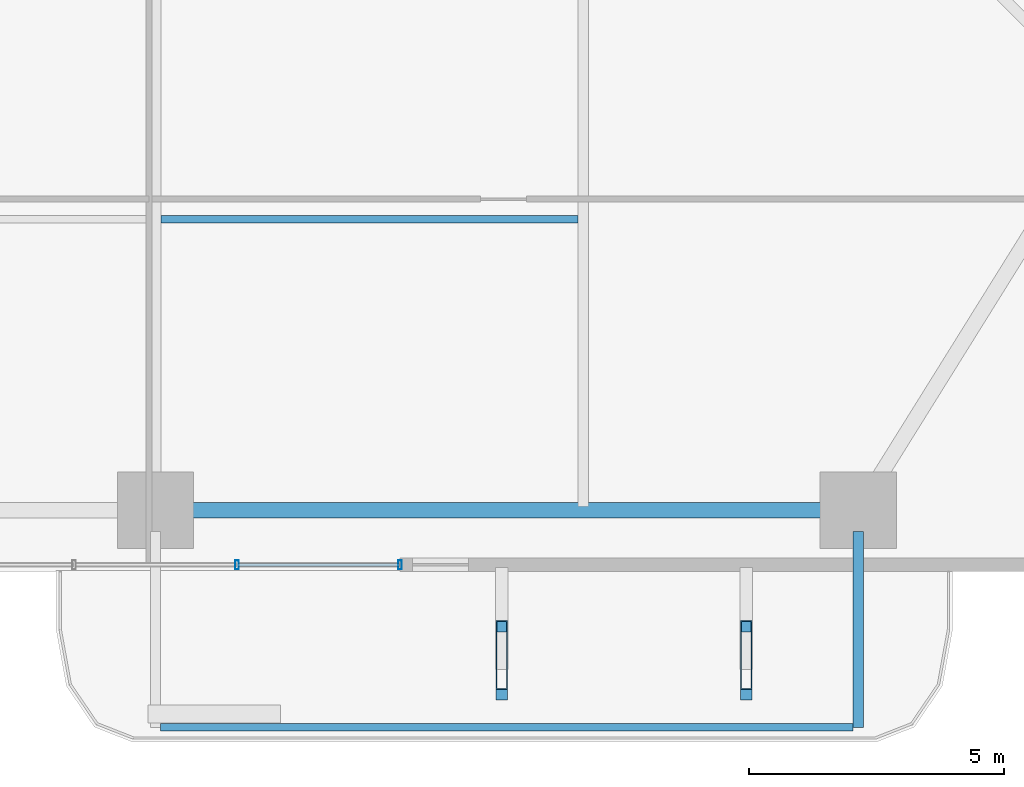
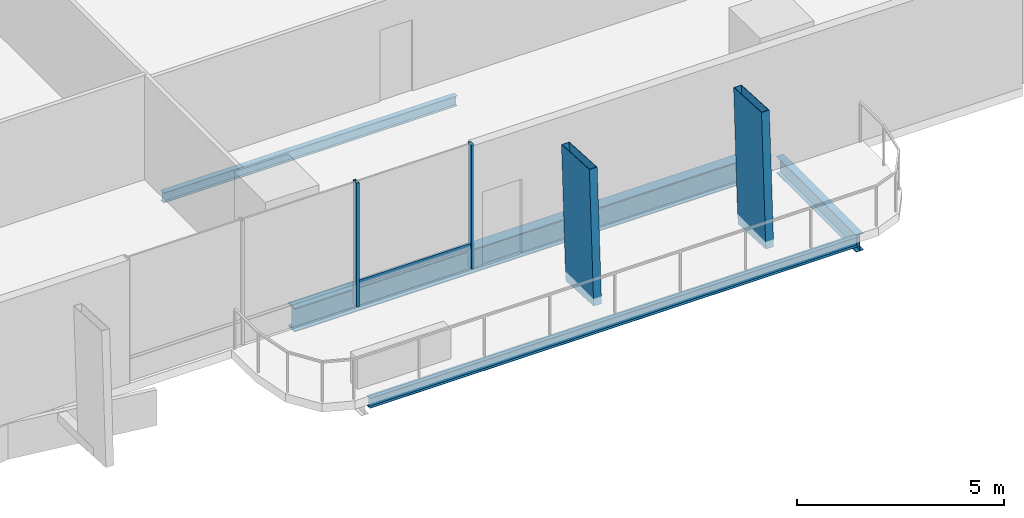
# One storey, part 6 of 24: 5 members, 4 beams, 1 element without a shape of its own.
"""IFC4 building model written with IfcOpenShell, lengths in metres."""

from ifc_helpers import new_model, si_unit, direction, frame, origin, origin_2d, place, context, subcontext, project, spatial, hollow_rectangle, i_section, extrude, material, layer, layer_set, material_profile, profile_set, type_object, element, aggregate, save


model = new_model("IFC4")

# Units and contexts
model_context = context("Model", 3, precision=1e-05, world=origin(), true_north=direction((0.0, 1.0)))
body_context = subcontext(model_context, "Body", "Model", "MODEL_VIEW")
ifc_project = project(units=[si_unit("LENGTHUNIT", "METRE"), si_unit("AREAUNIT", "SQUARE_METRE"), si_unit("VOLUMEUNIT", "CUBIC_METRE"), si_unit("PLANEANGLEUNIT", "RADIAN"), si_unit("MASSUNIT", "GRAM", prefix="KILO")], contexts=[model_context])

# Site, building, storey
site_placement = place(None, origin())
site = spatial("IfcSite", under=ifc_project, at=site_placement, CompositionType="ELEMENT")
building_placement = place(site_placement, origin())
building = spatial("IfcBuilding", under=site, at=building_placement, Name="Belovzor Exchange Tower", CompositionType="ELEMENT")
storey_placement = place(building_placement, frame((0.0, 0.0, 61.199951171875)))
storey = spatial("IfcBuildingStorey", under=building, at=storey_placement, Name="L14", CompositionType="ELEMENT", Elevation=61.199951171875)

# Members
ifc_material_1 = material(Name="Extruded Architectural Terracotta on Steel S355 Carrier", Category="masonry")
ifc_material_profile_1 = material_profile(ifc_material_1, hollow_rectangle(XDim=0.219970703125, YDim=1.35009765625, WallThickness=0.013916015625, at=origin_2d()))
ifc_profile_set_1 = profile_set([ifc_material_profile_1], Name="Extruded Architectural Terracotta on Steel S355 Carrier")
member_type_1 = type_object("IfcMemberType", Name="Base Arc Sweeping Terracotta Pylon Fin 1450", PredefinedType="USERDEFINED", material=ifc_profile_set_1)
for number, where, z_axis, x_axis, name in (
    (1, (35.60009765625, -0.948974609375, -0.25), (0.0, 0.053756276307, 0.998554086045), (-1.0, 0.0, 0.0), "FIN-TC145 Terracotta Facade Fin L14 S3"),
    (2, (40.39990234375, -0.948974609375, -0.25), (0.0, 0.053756276307, 0.998554086045), (-1.0, 0.0, 0.0), "FIN-TC145 Terracotta Facade Fin L14 S4"),
):
    element("IfcMember", number, at=place(storey_placement, frame(where, z_axis=z_axis, x_axis=x_axis)), inside=storey, type_object=member_type_1, Name=name, ObjectType="FIN", PredefinedType="USERDEFINED", context=body_context, shape_type="SweptSolid", body=[
        extrude(hollow_rectangle(XDim=0.219970703125, YDim=1.35009765625, WallThickness=0.013916015625, at=origin_2d()), origin(), (0.0, 0.0, 1.0), 3.90576171875),
    ])

# Beams
ifc_material_2 = material(Name="Steel S355", Category="steel")
ifc_material_profile_2 = material_profile(ifc_material_2, i_section(OverallWidth=0.199951171875, OverallDepth=0.5, WebThickness=0.01025390625, FlangeThickness=0.01611328125, at=origin_2d()))
ifc_profile_set_2 = profile_set([ifc_material_profile_2], Name="Steel S355")
beam_type_1 = type_object("IfcBeamType", Name="Planted Balcony Cantilever Beam IPE 500", PredefinedType="BEAM", material=ifc_profile_set_2)
beam_1_placement = place(storey_placement, frame((42.60009765625, 1.68798828125, -0.5), z_axis=(0.0, -1.0, 0.0), x_axis=(1.0, 0.0, 0.0)))
element("IfcBeam", 3, at=beam_1_placement, inside=storey, type_object=beam_type_1, Name="BC-500 Planted Balcony Cantilever Beam IPE 500", PredefinedType="BEAM", context=body_context, shape_type="SweptSolid", body=[
    extrude(i_section(OverallWidth=0.199951171875, OverallDepth=0.5, WebThickness=0.01025390625, FlangeThickness=0.01611328125, at=origin_2d()), origin(), (0.0, 0.0, 1.0), 3.85009765625),
])
ifc_material_3 = material(Name="Steel S355", Category="steel")
ifc_material_profile_3 = material_profile(ifc_material_3, i_section(OverallWidth=0.14990234375, OverallDepth=0.300048828125, WebThickness=0.007080078125, FlangeThickness=0.0107421875, at=origin_2d()))
ifc_profile_set_3 = profile_set([ifc_material_profile_3], Name="Steel S355")
beam_type_2 = type_object("IfcBeamType", Name="Planted Balcony Fascia Edge Beam IPE 300", PredefinedType="BEAM", material=ifc_profile_set_3)
beam_2_placement = place(storey_placement, frame((28.89990234375, -2.162109375, -0.39990234375), z_axis=(1.0, 0.0, 0.0), x_axis=(0.0, 1.0, 0.0)))
element("IfcBeam", 4, at=beam_2_placement, inside=storey, type_object=beam_type_2, Name="BC-300 Planted Balcony Fascia Edge Beam IPE 300", PredefinedType="BEAM", context=body_context, shape_type="SweptSolid", body=[
    extrude(i_section(OverallWidth=0.14990234375, OverallDepth=0.300048828125, WebThickness=0.007080078125, FlangeThickness=0.0107421875, at=origin_2d()), origin(), (0.0, 0.0, 1.0), 13.60009765625),
])
ifc_material_4 = material(Name="Steel S355", Category="steel")
ifc_material_profile_4 = material_profile(ifc_material_4, i_section(OverallWidth=0.14990234375, OverallDepth=0.300048828125, WebThickness=0.007080078125, FlangeThickness=0.0107421875, at=origin_2d()))
ifc_profile_set_4 = profile_set([ifc_material_profile_4], Name="Steel S355")
beam_type_3 = type_object("IfcBeamType", Name="Secondary Trim Floor Joist IPE 300", PredefinedType="BEAM", material=ifc_profile_set_4)
beam_3_placement = place(storey_placement, frame((28.905029296875, 7.81494140625, -0.39990234375), z_axis=(1.0, 0.0, 0.0), x_axis=(0.0, 1.0, 0.0)))
element("IfcBeam", 5, at=beam_3_placement, inside=storey, type_object=beam_type_3, Name="FJ-300 Secondary Trim Floor Joist IPE 300", PredefinedType="BEAM", context=body_context, shape_type="SweptSolid", body=[
    extrude(i_section(OverallWidth=0.14990234375, OverallDepth=0.300048828125, WebThickness=0.007080078125, FlangeThickness=0.0107421875, at=origin_2d()), origin(), (0.0, 0.0, 1.0), 8.18994140625),
])

# Curtain wall, members
ifc_material_5 = material(Name="Anodised Aluminium Framing", Category="aluminium")
ifc_layer = layer(ifc_material_5, 0.179931640625)
ifc_layer_set = layer_set([ifc_layer], Name="Anodised Aluminium Framing")
curtain_wall_type = type_object("IfcCurtainWallType", Name="Recessed Loggia Low-Iron Triple-Glazed Curtain Wall", PredefinedType="NOTDEFINED", material=ifc_layer_set)
curtain_wall_placement = place(storey_placement, origin())
curtain_wall = element("IfcCurtainWall", 6, at=curtain_wall_placement, inside=storey, type_object=curtain_wall_type, Name="CW3 Recessed Loggia Low-Iron Triple-Glazed Curtain Wall L14", PredefinedType="NOTDEFINED")
ifc_material_6 = material(Name="Steel S355", Category="steel")
ifc_material_profile_5 = material_profile(ifc_material_6, hollow_rectangle(XDim=0.074951171875, YDim=0.179931640625, WallThickness=0.0048828125, at=origin_2d()))
ifc_profile_set_5 = profile_set([ifc_material_profile_5], Name="Steel S355")
member_type_2 = type_object("IfcMemberType", Name="Thermally Broken Curtain Wall Mullion 180x75", PredefinedType="MULLION", material=ifc_profile_set_5)
member_1_placement = place(storey_placement, frame((33.60009765625, 1.030029296875, 0.0), z_axis=(0.0, 0.0, 1.0), x_axis=(-1.0, 0.0, 0.0)))
member_1 = element("IfcMember", 7, at=member_1_placement, type_object=member_type_2, Name="CW-M180 Curtain Wall Mullion 1", PredefinedType="MULLION", context=body_context, shape_type="SweptSolid", body=[
    extrude(hollow_rectangle(XDim=0.074951171875, YDim=0.179931640625, WallThickness=0.0048828125, at=origin_2d()), origin(), (0.0, 0.0, 1.0), 3.650146484375),
])
member_2_placement = place(storey_placement, frame((30.39990234375, 1.030029296875, 0.0), z_axis=(0.0, 0.0, 1.0), x_axis=(-1.0, 0.0, 0.0)))
member_2 = element("IfcMember", 8, at=member_2_placement, type_object=member_type_2, Name="CW-M180 Curtain Wall Mullion 2", PredefinedType="MULLION", context=body_context, shape_type="SweptSolid", body=[
    extrude(hollow_rectangle(XDim=0.074951171875, YDim=0.179931640625, WallThickness=0.0048828125, at=origin_2d()), origin(), (0.0, 0.0, 1.0), 3.650146484375),
])
ifc_material_7 = material(Name="Steel S355", Category="steel")
ifc_material_profile_6 = material_profile(ifc_material_7, hollow_rectangle(XDim=0.06005859375, YDim=0.14990234375, WallThickness=0.00390625, at=origin_2d()))
ifc_profile_set_6 = profile_set([ifc_material_profile_6], Name="Steel S355")
member_type_3 = type_object("IfcMemberType", Name="Thermally Broken Curtain Wall Transom 150x60", PredefinedType="USERDEFINED", material=ifc_profile_set_6)
member_3_placement = place(storey_placement, frame((33.592041015625, 1.030029296875, 0.650146484375), z_axis=(-1.0, 0.0, 0.0), x_axis=(0.0, -1.0, 0.0)))
member_3 = element("IfcMember", 9, at=member_3_placement, type_object=member_type_3, Name="CW-T150 Curtain Wall Transom 1", ObjectType="TRANSOM", PredefinedType="USERDEFINED", context=body_context, shape_type="SweptSolid", body=[
    extrude(hollow_rectangle(XDim=0.06005859375, YDim=0.14990234375, WallThickness=0.00390625, at=origin_2d()), origin(), (0.0, 0.0, 1.0), 3.18408203125),
])
aggregate(curtain_wall, [member_1, member_2, member_3])

# Beam
ifc_material_8 = material(Name="Steel S355", Category="steel")
ifc_material_profile_7 = material_profile(ifc_material_8, i_section(OverallWidth=0.300048828125, OverallDepth=0.699951171875, WebThickness=0.01708984375, FlangeThickness=0.031982421875, at=origin_2d()))
ifc_profile_set_7 = profile_set([ifc_material_profile_7], Name="Steel S355")
beam_type_4 = type_object("IfcBeamType", Name="Zone 1 Primary Perimeter Girder HEB 700", PredefinedType="BEAM", material=ifc_profile_set_7)
beam_4_placement = place(storey_placement, frame((29.212890625, 2.10009765625, -0.599853515625), z_axis=(1.0, 0.0, 0.0), x_axis=(0.0, 1.0, 0.0)))
element("IfcBeam", 10, at=beam_4_placement, inside=storey, type_object=beam_type_4, Name="FG-Z1 Zone 1 Primary Perimeter Girder HEB 700", PredefinedType="BEAM", context=body_context, shape_type="SweptSolid", body=[
    extrude(i_section(OverallWidth=0.300048828125, OverallDepth=0.699951171875, WebThickness=0.01708984375, FlangeThickness=0.031982421875, at=origin_2d()), origin(), (0.0, 0.0, 1.0), 12.97509765625),
])

save(model, "model.ifc")
